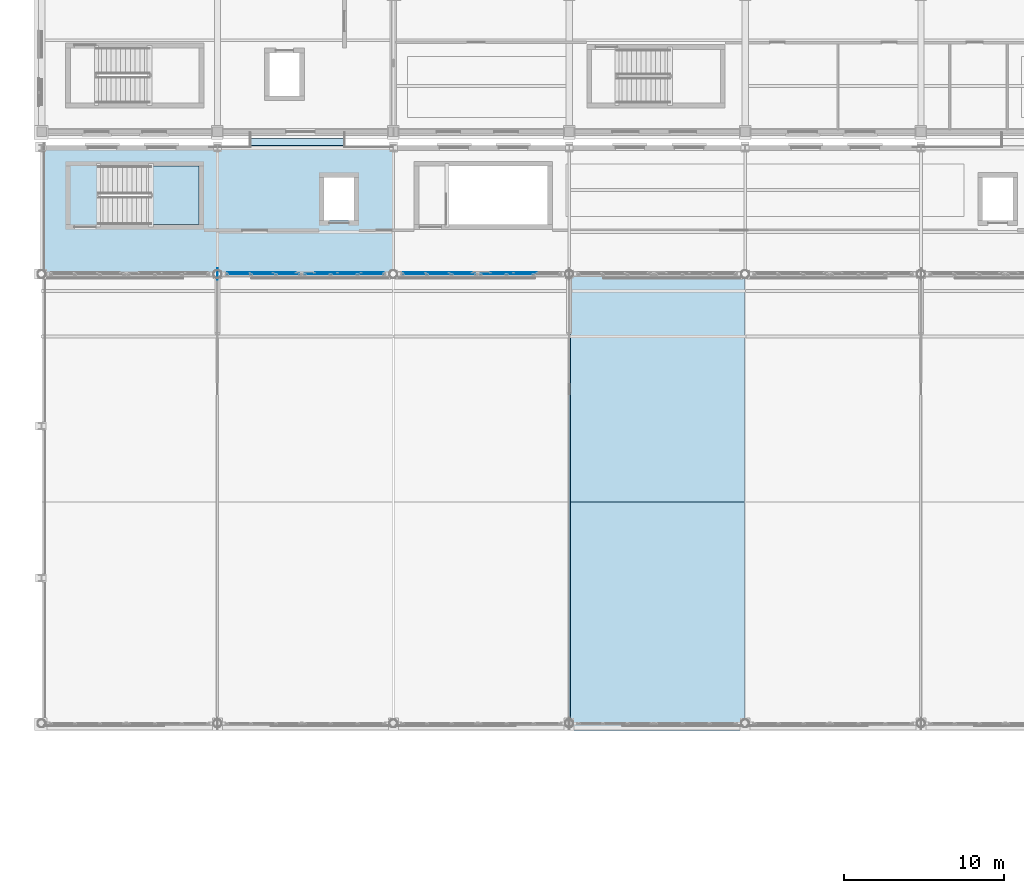
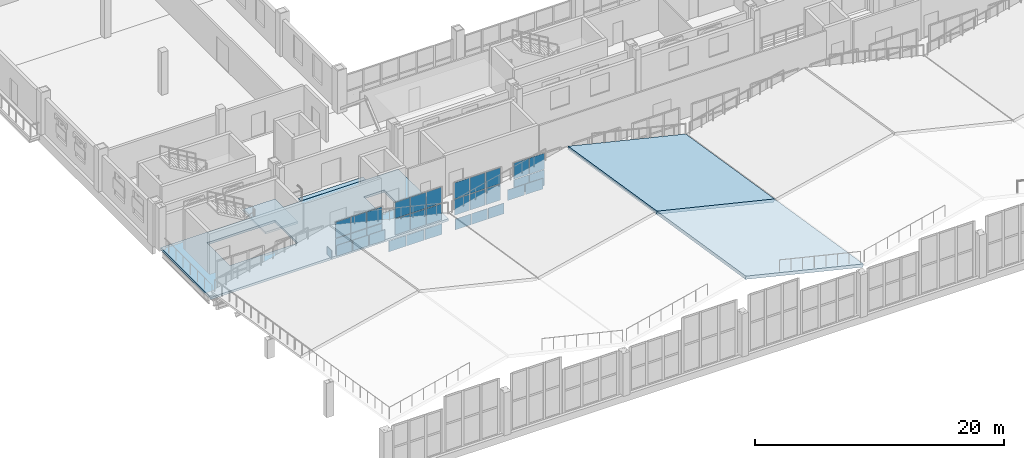
# One storey, part 79 of 120: 34 plates, 5 slabs, 9 elements without a shape of their own.
"""IFC4 building model written with IfcOpenShell, lengths in metres."""

from ifc_helpers import new_model, si_unit, direction, frame, origin, origin_2d, place, context, subcontext, project, spatial, polyline, rectangle, outline, extrude, material, layer, layer_set, type_object, element, aggregate, save


model = new_model("IFC4")

# Units and contexts
model_context = context("Model", 3, precision=1e-05, world=origin(), true_north=direction((0.0, 1.0)))
body_context = subcontext(model_context, "Body", "Model", "MODEL_VIEW")
ifc_project = project(units=[si_unit("LENGTHUNIT", "METRE"), si_unit("AREAUNIT", "SQUARE_METRE"), si_unit("VOLUMEUNIT", "CUBIC_METRE"), si_unit("PLANEANGLEUNIT", "RADIAN"), si_unit("MASSUNIT", "GRAM", prefix="KILO")], contexts=[model_context])

# Site, building, storey
site_placement = place(None, origin())
site = spatial("IfcSite", under=ifc_project, at=site_placement, CompositionType="ELEMENT")
building_placement = place(site_placement, origin())
building = spatial("IfcBuilding", under=site, at=building_placement, Name="Caurita Quay Ferry Terminal", CompositionType="ELEMENT")
storey_placement = place(building_placement, frame((0.0, 0.0, 9.89990234375)))
storey = spatial("IfcBuildingStorey", under=building, at=storey_placement, Name="L02", CompositionType="ELEMENT", Elevation=9.89990234375)

# Curtain wall, plates
ifc_material_1 = material(Name="Laminated solar-control insulated glass", Category="glass")
curtain_wall_type_1 = type_object("IfcCurtainWallType", Name="CW-SYS-13", PredefinedType="NOTDEFINED", material=ifc_material_1)
curtain_wall_1_placement = place(storey_placement, origin())
curtain_wall_1 = element("IfcCurtainWall", 1, at=curtain_wall_1_placement, inside=storey, type_object=curtain_wall_type_1, Name="Mezzanine Hall Overlook Glazing 091", PredefinedType="NOTDEFINED")
ifc_layer_1 = layer(ifc_material_1, 0.02392578125, Name="Laminated low-e hurricane-rated glazing unit 24 mm")
ifc_layer_set_1 = layer_set([ifc_layer_1], Name="Laminated solar-control insulated glass")
plate_type_1 = type_object("IfcPlateType", Name="CW-PNL-24", PredefinedType="CURTAIN_PANEL", material=ifc_layer_set_1)
plate_1_placement = place(storey_placement, frame((12.29833984375, 62.800048828125, 0.05810546875), z_axis=(0.0, 0.0, 1.0), x_axis=(1.0, 0.0, 0.0)))
plate_1 = element("IfcPlate", 2, at=plate_1_placement, type_object=plate_type_1, Name="CW-MZL-091 Glazing Panel 1", PredefinedType="CURTAIN_PANEL", context=body_context, shape_type="SweptSolid", body=[
    extrude(rectangle(XDim=1.380615234375, YDim=0.02392578125, at=origin_2d()), origin(), (0.0, 0.0, 1.0), 1.56396484375),
])
plate_2_placement = place(storey_placement, frame((12.29833984375, 62.800048828125, 1.67822265625), z_axis=(0.0, 0.0, 1.0), x_axis=(1.0, 0.0, 0.0)))
plate_2 = element("IfcPlate", 3, at=plate_2_placement, type_object=plate_type_1, Name="CW-MZL-091 Glazing Panel 2", PredefinedType="CURTAIN_PANEL", context=body_context, shape_type="SweptSolid", body=[
    extrude(rectangle(XDim=1.380615234375, YDim=0.02392578125, at=origin_2d()), origin(), (0.0, 0.0, 1.0), 1.56396484375),
])
plate_3_placement = place(storey_placement, frame((13.75, 62.800048828125, 0.05810546875), z_axis=(0.0, 0.0, 1.0), x_axis=(1.0, 0.0, 0.0)))
plate_3 = element("IfcPlate", 4, at=plate_3_placement, type_object=plate_type_1, Name="CW-MZL-091 Glazing Panel 3", PredefinedType="CURTAIN_PANEL", context=body_context, shape_type="SweptSolid", body=[
    extrude(rectangle(XDim=1.41064453125, YDim=0.02392578125, at=origin_2d()), origin(), (0.0, 0.0, 1.0), 1.56396484375),
])
plate_4_placement = place(storey_placement, frame((13.75, 62.800048828125, 1.67822265625), z_axis=(0.0, 0.0, 1.0), x_axis=(1.0, 0.0, 0.0)))
plate_4 = element("IfcPlate", 5, at=plate_4_placement, type_object=plate_type_1, Name="CW-MZL-091 Glazing Panel 4", PredefinedType="CURTAIN_PANEL", context=body_context, shape_type="SweptSolid", body=[
    extrude(rectangle(XDim=1.41064453125, YDim=0.02392578125, at=origin_2d()), origin(), (0.0, 0.0, 1.0), 1.56396484375),
])
plate_5_placement = place(storey_placement, frame((15.20166015625, 62.800048828125, 0.05810546875), z_axis=(0.0, 0.0, 1.0), x_axis=(1.0, 0.0, 0.0)))
plate_5 = element("IfcPlate", 6, at=plate_5_placement, type_object=plate_type_1, Name="CW-MZL-091 Glazing Panel 5", PredefinedType="CURTAIN_PANEL", context=body_context, shape_type="SweptSolid", body=[
    extrude(rectangle(XDim=1.380615234375, YDim=0.02392578125, at=origin_2d()), origin(), (0.0, 0.0, 1.0), 1.56396484375),
])
plate_6_placement = place(storey_placement, frame((15.20166015625, 62.800048828125, 1.67822265625), z_axis=(0.0, 0.0, 1.0), x_axis=(1.0, 0.0, 0.0)))
plate_6 = element("IfcPlate", 7, at=plate_6_placement, type_object=plate_type_1, Name="CW-MZL-091 Glazing Panel 6", PredefinedType="CURTAIN_PANEL", context=body_context, shape_type="SweptSolid", body=[
    extrude(rectangle(XDim=1.380615234375, YDim=0.02392578125, at=origin_2d()), origin(), (0.0, 0.0, 1.0), 1.56396484375),
])
aggregate(curtain_wall_1, [plate_1, plate_2, plate_3, plate_4, plate_5, plate_6])

curtain_wall_2_placement = place(storey_placement, origin())
curtain_wall_2 = element("IfcCurtainWall", 8, at=curtain_wall_2_placement, inside=storey, type_object=curtain_wall_type_1, Name="Mezzanine Hall Overlook Glazing 092", PredefinedType="NOTDEFINED")
plate_7_placement = place(storey_placement, frame((17.79833984375, 62.800048828125, 0.05810546875), z_axis=(0.0, 0.0, 1.0), x_axis=(1.0, 0.0, 0.0)))
plate_7 = element("IfcPlate", 9, at=plate_7_placement, type_object=plate_type_1, Name="CW-MZL-092 Glazing Panel 1", PredefinedType="CURTAIN_PANEL", context=body_context, shape_type="SweptSolid", body=[
    extrude(rectangle(XDim=1.380615234375, YDim=0.02392578125, at=origin_2d()), origin(), (0.0, 0.0, 1.0), 1.56396484375),
])
plate_8_placement = place(storey_placement, frame((17.79833984375, 62.800048828125, 1.67822265625), z_axis=(0.0, 0.0, 1.0), x_axis=(1.0, 0.0, 0.0)))
plate_8 = element("IfcPlate", 10, at=plate_8_placement, type_object=plate_type_1, Name="CW-MZL-092 Glazing Panel 2", PredefinedType="CURTAIN_PANEL", context=body_context, shape_type="SweptSolid", body=[
    extrude(rectangle(XDim=1.380615234375, YDim=0.02392578125, at=origin_2d()), origin(), (0.0, 0.0, 1.0), 1.56396484375),
])
plate_9_placement = place(storey_placement, frame((19.25, 62.800048828125, 0.05810546875), z_axis=(0.0, 0.0, 1.0), x_axis=(1.0, 0.0, 0.0)))
plate_9 = element("IfcPlate", 11, at=plate_9_placement, type_object=plate_type_1, Name="CW-MZL-092 Glazing Panel 3", PredefinedType="CURTAIN_PANEL", context=body_context, shape_type="SweptSolid", body=[
    extrude(rectangle(XDim=1.41064453125, YDim=0.02392578125, at=origin_2d()), origin(), (0.0, 0.0, 1.0), 1.56396484375),
])
plate_10_placement = place(storey_placement, frame((19.25, 62.800048828125, 1.67822265625), z_axis=(0.0, 0.0, 1.0), x_axis=(1.0, 0.0, 0.0)))
plate_10 = element("IfcPlate", 12, at=plate_10_placement, type_object=plate_type_1, Name="CW-MZL-092 Glazing Panel 4", PredefinedType="CURTAIN_PANEL", context=body_context, shape_type="SweptSolid", body=[
    extrude(rectangle(XDim=1.41064453125, YDim=0.02392578125, at=origin_2d()), origin(), (0.0, 0.0, 1.0), 1.56396484375),
])
plate_11_placement = place(storey_placement, frame((20.70166015625, 62.800048828125, 0.05810546875), z_axis=(0.0, 0.0, 1.0), x_axis=(1.0, 0.0, 0.0)))
plate_11 = element("IfcPlate", 13, at=plate_11_placement, type_object=plate_type_1, Name="CW-MZL-092 Glazing Panel 5", PredefinedType="CURTAIN_PANEL", context=body_context, shape_type="SweptSolid", body=[
    extrude(rectangle(XDim=1.380615234375, YDim=0.02392578125, at=origin_2d()), origin(), (0.0, 0.0, 1.0), 1.56396484375),
])
plate_12_placement = place(storey_placement, frame((20.70166015625, 62.800048828125, 1.67822265625), z_axis=(0.0, 0.0, 1.0), x_axis=(1.0, 0.0, 0.0)))
plate_12 = element("IfcPlate", 14, at=plate_12_placement, type_object=plate_type_1, Name="CW-MZL-092 Glazing Panel 6", PredefinedType="CURTAIN_PANEL", context=body_context, shape_type="SweptSolid", body=[
    extrude(rectangle(XDim=1.380615234375, YDim=0.02392578125, at=origin_2d()), origin(), (0.0, 0.0, 1.0), 1.56396484375),
])
aggregate(curtain_wall_2, [plate_7, plate_8, plate_9, plate_10, plate_11, plate_12])

curtain_wall_3_placement = place(storey_placement, origin())
curtain_wall_3 = element("IfcCurtainWall", 15, at=curtain_wall_3_placement, inside=storey, type_object=curtain_wall_type_1, Name="Mezzanine Hall Overlook Glazing 093", PredefinedType="NOTDEFINED")
plate_13_placement = place(storey_placement, frame((23.29833984375, 62.800048828125, 0.05810546875), z_axis=(0.0, 0.0, 1.0), x_axis=(1.0, 0.0, 0.0)))
plate_13 = element("IfcPlate", 16, at=plate_13_placement, type_object=plate_type_1, Name="CW-MZL-093 Glazing Panel 1", PredefinedType="CURTAIN_PANEL", context=body_context, shape_type="SweptSolid", body=[
    extrude(rectangle(XDim=1.380615234375, YDim=0.02392578125, at=origin_2d()), origin(), (0.0, 0.0, 1.0), 1.56396484375),
])
plate_14_placement = place(storey_placement, frame((23.29833984375, 62.800048828125, 1.67822265625), z_axis=(0.0, 0.0, 1.0), x_axis=(1.0, 0.0, 0.0)))
plate_14 = element("IfcPlate", 17, at=plate_14_placement, type_object=plate_type_1, Name="CW-MZL-093 Glazing Panel 2", PredefinedType="CURTAIN_PANEL", context=body_context, shape_type="SweptSolid", body=[
    extrude(rectangle(XDim=1.380615234375, YDim=0.02392578125, at=origin_2d()), origin(), (0.0, 0.0, 1.0), 1.56396484375),
])
plate_15_placement = place(storey_placement, frame((24.75, 62.800048828125, 0.05810546875), z_axis=(0.0, 0.0, 1.0), x_axis=(1.0, 0.0, 0.0)))
plate_15 = element("IfcPlate", 18, at=plate_15_placement, type_object=plate_type_1, Name="CW-MZL-093 Glazing Panel 3", PredefinedType="CURTAIN_PANEL", context=body_context, shape_type="SweptSolid", body=[
    extrude(rectangle(XDim=1.41064453125, YDim=0.02392578125, at=origin_2d()), origin(), (0.0, 0.0, 1.0), 1.56396484375),
])
plate_16_placement = place(storey_placement, frame((24.75, 62.800048828125, 1.67822265625), z_axis=(0.0, 0.0, 1.0), x_axis=(1.0, 0.0, 0.0)))
plate_16 = element("IfcPlate", 19, at=plate_16_placement, type_object=plate_type_1, Name="CW-MZL-093 Glazing Panel 4", PredefinedType="CURTAIN_PANEL", context=body_context, shape_type="SweptSolid", body=[
    extrude(rectangle(XDim=1.41064453125, YDim=0.02392578125, at=origin_2d()), origin(), (0.0, 0.0, 1.0), 1.56396484375),
])
plate_17_placement = place(storey_placement, frame((26.20166015625, 62.800048828125, 0.05810546875), z_axis=(0.0, 0.0, 1.0), x_axis=(1.0, 0.0, 0.0)))
plate_17 = element("IfcPlate", 20, at=plate_17_placement, type_object=plate_type_1, Name="CW-MZL-093 Glazing Panel 5", PredefinedType="CURTAIN_PANEL", context=body_context, shape_type="SweptSolid", body=[
    extrude(rectangle(XDim=1.380615234375, YDim=0.02392578125, at=origin_2d()), origin(), (0.0, 0.0, 1.0), 1.56396484375),
])
plate_18_placement = place(storey_placement, frame((26.20166015625, 62.800048828125, 1.67822265625), z_axis=(0.0, 0.0, 1.0), x_axis=(1.0, 0.0, 0.0)))
plate_18 = element("IfcPlate", 21, at=plate_18_placement, type_object=plate_type_1, Name="CW-MZL-093 Glazing Panel 6", PredefinedType="CURTAIN_PANEL", context=body_context, shape_type="SweptSolid", body=[
    extrude(rectangle(XDim=1.380615234375, YDim=0.02392578125, at=origin_2d()), origin(), (0.0, 0.0, 1.0), 1.56396484375),
])
aggregate(curtain_wall_3, [plate_13, plate_14, plate_15, plate_16, plate_17, plate_18])

curtain_wall_4_placement = place(storey_placement, origin())
curtain_wall_4 = element("IfcCurtainWall", 22, at=curtain_wall_4_placement, inside=storey, type_object=curtain_wall_type_1, Name="Mezzanine Hall Overlook Glazing 094", PredefinedType="NOTDEFINED")
plate_19_placement = place(storey_placement, frame((28.79833984375, 62.800048828125, 0.05810546875), z_axis=(0.0, 0.0, 1.0), x_axis=(1.0, 0.0, 0.0)))
plate_19 = element("IfcPlate", 23, at=plate_19_placement, type_object=plate_type_1, Name="CW-MZL-094 Glazing Panel 1", PredefinedType="CURTAIN_PANEL", context=body_context, shape_type="SweptSolid", body=[
    extrude(rectangle(XDim=1.380615234375, YDim=0.02392578125, at=origin_2d()), origin(), (0.0, 0.0, 1.0), 1.56396484375),
])
plate_20_placement = place(storey_placement, frame((28.79833984375, 62.800048828125, 1.67822265625), z_axis=(0.0, 0.0, 1.0), x_axis=(1.0, 0.0, 0.0)))
plate_20 = element("IfcPlate", 24, at=plate_20_placement, type_object=plate_type_1, Name="CW-MZL-094 Glazing Panel 2", PredefinedType="CURTAIN_PANEL", context=body_context, shape_type="SweptSolid", body=[
    extrude(rectangle(XDim=1.380615234375, YDim=0.02392578125, at=origin_2d()), origin(), (0.0, 0.0, 1.0), 1.56396484375),
])
plate_21_placement = place(storey_placement, frame((30.25, 62.800048828125, 0.05810546875), z_axis=(0.0, 0.0, 1.0), x_axis=(1.0, 0.0, 0.0)))
plate_21 = element("IfcPlate", 25, at=plate_21_placement, type_object=plate_type_1, Name="CW-MZL-094 Glazing Panel 3", PredefinedType="CURTAIN_PANEL", context=body_context, shape_type="SweptSolid", body=[
    extrude(rectangle(XDim=1.41064453125, YDim=0.02392578125, at=origin_2d()), origin(), (0.0, 0.0, 1.0), 1.56396484375),
])
plate_22_placement = place(storey_placement, frame((30.25, 62.800048828125, 1.67822265625), z_axis=(0.0, 0.0, 1.0), x_axis=(1.0, 0.0, 0.0)))
plate_22 = element("IfcPlate", 26, at=plate_22_placement, type_object=plate_type_1, Name="CW-MZL-094 Glazing Panel 4", PredefinedType="CURTAIN_PANEL", context=body_context, shape_type="SweptSolid", body=[
    extrude(rectangle(XDim=1.41064453125, YDim=0.02392578125, at=origin_2d()), origin(), (0.0, 0.0, 1.0), 1.56396484375),
])
aggregate(curtain_wall_4, [plate_19, plate_20, plate_21, plate_22])

curtain_wall_type_2 = type_object("IfcCurtainWallType", Name="CW-SYS-05", PredefinedType="NOTDEFINED", material=ifc_material_1)
curtain_wall_5_placement = place(storey_placement, origin())
curtain_wall_5 = element("IfcCurtainWall", 27, at=curtain_wall_5_placement, inside=storey, type_object=curtain_wall_type_2, Name="Folded Roof Clerestory FB-01-N3", PredefinedType="NOTDEFINED")
ifc_layer_2 = layer(ifc_material_1, 0.028076171875, Name="Laminated low-e hurricane-rated glazing unit 28 mm")
ifc_layer_set_2 = layer_set([ifc_layer_2], Name="Laminated solar-control insulated glass")
plate_type_2 = type_object("IfcPlateType", Name="CW-PNL-28", PredefinedType="CURTAIN_PANEL", material=ifc_layer_set_2)
plate_23_placement = place(storey_placement, frame((12.34375, 62.699951171875, -0.0498046875), z_axis=(0.0, 0.0, 1.0), x_axis=(1.0, 0.0, 0.0)))
plate_23 = element("IfcPlate", 28, at=plate_23_placement, type_object=plate_type_2, Name="CW-CLR-007 Glazing Panel 1", PredefinedType="CURTAIN_PANEL", context=body_context, shape_type="SweptSolid", body=[
    extrude(rectangle(XDim=1.44140625, YDim=0.028076171875, at=origin_2d()), origin(), (0.0, 0.0, 1.0), 1.053955078125),
])
plate_24_placement = place(storey_placement, frame((13.875, 62.699951171875, -0.0498046875), z_axis=(0.0, 0.0, 1.0), x_axis=(1.0, 0.0, 0.0)))
plate_24 = element("IfcPlate", 29, at=plate_24_placement, type_object=plate_type_2, Name="CW-CLR-007 Glazing Panel 2", PredefinedType="CURTAIN_PANEL", context=body_context, shape_type="SweptSolid", body=[
    extrude(rectangle(XDim=1.47900390625, YDim=0.028076171875, at=origin_2d()), origin(), (0.0, 0.0, 1.0), 1.053955078125),
])
plate_25_placement = place(storey_placement, frame((15.40625, 62.699951171875, -0.0498046875), z_axis=(0.0, 0.0, 1.0), x_axis=(1.0, 0.0, 0.0)))
plate_25 = element("IfcPlate", 30, at=plate_25_placement, type_object=plate_type_2, Name="CW-CLR-007 Glazing Panel 3", PredefinedType="CURTAIN_PANEL", context=body_context, shape_type="SweptSolid", body=[
    extrude(rectangle(XDim=1.44140625, YDim=0.028076171875, at=origin_2d()), origin(), (0.0, 0.0, 1.0), 1.053955078125),
])
aggregate(curtain_wall_5, [plate_23, plate_24, plate_25])

curtain_wall_type_3 = type_object("IfcCurtainWallType", Name="CW-SYS-06", PredefinedType="NOTDEFINED", material=ifc_material_1)
curtain_wall_6_placement = place(storey_placement, origin())
curtain_wall_6 = element("IfcCurtainWall", 31, at=curtain_wall_6_placement, inside=storey, type_object=curtain_wall_type_3, Name="Folded Roof Clerestory FB-01-N4", PredefinedType="NOTDEFINED")
plate_26_placement = place(storey_placement, frame((17.260498046875, 62.699951171875, -1.31005859375), z_axis=(0.0, 0.0, 1.0), x_axis=(1.0, 0.0, 0.0)))
plate_26 = element("IfcPlate", 32, at=plate_26_placement, type_object=plate_type_2, Name="CW-CLR-008 Glazing Panel 1", PredefinedType="CURTAIN_PANEL", context=body_context, shape_type="SweptSolid", body=[
    extrude(rectangle(XDim=1.57470703125, YDim=0.028076171875, at=origin_2d()), origin(), (0.0, 0.0, 1.0), 1.053955078125),
])
plate_27_placement = place(storey_placement, frame((18.925048828125, 62.699951171875, -1.31005859375), z_axis=(0.0, 0.0, 1.0), x_axis=(1.0, 0.0, 0.0)))
plate_27 = element("IfcPlate", 33, at=plate_27_placement, type_object=plate_type_2, Name="CW-CLR-008 Glazing Panel 2", PredefinedType="CURTAIN_PANEL", context=body_context, shape_type="SweptSolid", body=[
    extrude(rectangle(XDim=1.6123046875, YDim=0.028076171875, at=origin_2d()), origin(), (0.0, 0.0, 1.0), 1.053955078125),
])
plate_28_placement = place(storey_placement, frame((20.589599609375, 62.699951171875, -1.31005859375), z_axis=(0.0, 0.0, 1.0), x_axis=(1.0, 0.0, 0.0)))
plate_28 = element("IfcPlate", 34, at=plate_28_placement, type_object=plate_type_2, Name="CW-CLR-008 Glazing Panel 3", PredefinedType="CURTAIN_PANEL", context=body_context, shape_type="SweptSolid", body=[
    extrude(rectangle(XDim=1.57470703125, YDim=0.028076171875, at=origin_2d()), origin(), (0.0, 0.0, 1.0), 1.053955078125),
])
aggregate(curtain_wall_6, [plate_26, plate_27, plate_28])

curtain_wall_7_placement = place(storey_placement, origin())
curtain_wall_7 = element("IfcCurtainWall", 35, at=curtain_wall_7_placement, inside=storey, type_object=curtain_wall_type_2, Name="Folded Roof Clerestory FB-02-N1", PredefinedType="NOTDEFINED")
plate_29_placement = place(storey_placement, frame((23.34375, 62.699951171875, -1.31005859375), z_axis=(0.0, 0.0, 1.0), x_axis=(1.0, 0.0, 0.0)))
plate_29 = element("IfcPlate", 36, at=plate_29_placement, type_object=plate_type_2, Name="CW-CLR-013 Glazing Panel 1", PredefinedType="CURTAIN_PANEL", context=body_context, shape_type="SweptSolid", body=[
    extrude(rectangle(XDim=1.44140625, YDim=0.028076171875, at=origin_2d()), origin(), (0.0, 0.0, 1.0), 1.053955078125),
])
plate_30_placement = place(storey_placement, frame((24.875, 62.699951171875, -1.31005859375), z_axis=(0.0, 0.0, 1.0), x_axis=(1.0, 0.0, 0.0)))
plate_30 = element("IfcPlate", 37, at=plate_30_placement, type_object=plate_type_2, Name="CW-CLR-013 Glazing Panel 2", PredefinedType="CURTAIN_PANEL", context=body_context, shape_type="SweptSolid", body=[
    extrude(rectangle(XDim=1.47900390625, YDim=0.028076171875, at=origin_2d()), origin(), (0.0, 0.0, 1.0), 1.053955078125),
])
plate_31_placement = place(storey_placement, frame((26.40625, 62.699951171875, -1.31005859375), z_axis=(0.0, 0.0, 1.0), x_axis=(1.0, 0.0, 0.0)))
plate_31 = element("IfcPlate", 38, at=plate_31_placement, type_object=plate_type_2, Name="CW-CLR-013 Glazing Panel 3", PredefinedType="CURTAIN_PANEL", context=body_context, shape_type="SweptSolid", body=[
    extrude(rectangle(XDim=1.44140625, YDim=0.028076171875, at=origin_2d()), origin(), (0.0, 0.0, 1.0), 1.053955078125),
])
aggregate(curtain_wall_7, [plate_29, plate_30, plate_31])

curtain_wall_8_placement = place(storey_placement, origin())
curtain_wall_8 = element("IfcCurtainWall", 39, at=curtain_wall_8_placement, inside=storey, type_object=curtain_wall_type_3, Name="Folded Roof Clerestory FB-02-N2", PredefinedType="NOTDEFINED")
plate_32_placement = place(storey_placement, frame((28.260498046875, 62.699951171875, -0.14599609375), z_axis=(0.0, 0.0, 1.0), x_axis=(1.0, 0.0, 0.0)))
plate_32 = element("IfcPlate", 40, at=plate_32_placement, type_object=plate_type_2, Name="CW-CLR-014 Glazing Panel 1", PredefinedType="CURTAIN_PANEL", context=body_context, shape_type="SweptSolid", body=[
    extrude(rectangle(XDim=1.57470703125, YDim=0.028076171875, at=origin_2d()), origin(), (0.0, 0.0, 1.0), 1.053955078125),
])
plate_33_placement = place(storey_placement, frame((29.925048828125, 62.699951171875, -0.14599609375), z_axis=(0.0, 0.0, 1.0), x_axis=(1.0, 0.0, 0.0)))
plate_33 = element("IfcPlate", 41, at=plate_33_placement, type_object=plate_type_2, Name="CW-CLR-014 Glazing Panel 2", PredefinedType="CURTAIN_PANEL", context=body_context, shape_type="SweptSolid", body=[
    extrude(rectangle(XDim=1.6123046875, YDim=0.028076171875, at=origin_2d()), origin(), (0.0, 0.0, 1.0), 1.053955078125),
])
aggregate(curtain_wall_8, [plate_32, plate_33])

# Plate
ifc_material_2 = material(Name="Structural plate steel ASTM A572 Gr. 50", Category="steel")
ifc_layer_3 = layer(ifc_material_2, 0.048095703125, Name="Structural steel connection plate 48 mm")
ifc_layer_set_3 = layer_set([ifc_layer_3], Name="Structural plate steel ASTM A572 Gr. 50")
plate_type_3 = type_object("IfcPlateType", Name="PLT-STL-48", PredefinedType="USERDEFINED", material=ifc_layer_set_3)
plate_34_placement = place(storey_placement, frame((11.0, 62.699951171875, 0.175048828125), z_axis=(0.0, 0.0, 1.0), x_axis=(1.0, 0.0, 0.0)))
element("IfcPlate", 42, at=plate_34_placement, inside=storey, type_object=plate_type_3, Name="Mast Collar Stay-Cable Gusset Plate V1-02-N", ObjectType="GUSSET PLATE", PredefinedType="USERDEFINED", context=body_context, shape_type="SweptSolid", body=[
    extrude(rectangle(XDim=0.048095703125, YDim=0.719970703125, at=origin_2d()), origin(), (0.0, 0.0, 1.0), 0.75),
])

# Slabs
ifc_material_3 = material(Name="Reinforced concrete C35/45", Category="concrete")
ifc_layer_4 = layer(ifc_material_3, 0.219970703125, Name="Reinforced concrete floor slab 220 mm")
ifc_layer_set_4 = layer_set([ifc_layer_4], Name="Reinforced concrete C35/45")
slab_type_1 = type_object("IfcSlabType", Name="SLB-FLR-220", PredefinedType="FLOOR", material=ifc_layer_set_4)
slab_1_placement = place(storey_placement, frame((0.0, 0.0, -0.219970703125)))
element("IfcSlab", 43, at=slab_1_placement, inside=storey, type_object=slab_type_1, Name="L02 SJ4-W Slab 01", PredefinedType="FLOOR", context=body_context, shape_type="SweptSolid", body=[
    extrude(outline(polyline([(13.0, 70.760009765625), (19.0, 70.760009765625), (19.0, 71.18994140625), (13.0, 71.18994140625), (13.0, 70.760009765625)])), origin(), (0.0, 0.0, 1.0), 0.219970703125),
])
slab_2_placement = place(storey_placement, frame((0.0, 0.0, -0.219970703125)))
element("IfcSlab", 44, at=slab_2_placement, inside=storey, type_object=slab_type_1, Name="L02 V1-MEZ Slab 01", PredefinedType="FLOOR", context=body_context, shape_type="SweptSolid", body=[
    extrude(outline(polyline([(0.0, 62.699951171875), (22.0, 62.699951171875), (22.0, 70.75), (0.0, 70.75), (0.0, 62.699951171875)]), holes=[polyline([(3.550048828125, 65.800048828125), (9.85009765625, 65.800048828125), (9.85009765625, 69.4599609375), (3.550048828125, 69.4599609375), (3.550048828125, 65.800048828125)]), polyline([(17.655029296875, 66.054931640625), (19.544921875, 66.054931640625), (19.544921875, 68.7451171875), (17.655029296875, 68.7451171875), (17.655029296875, 66.054931640625)])]), origin(), (0.0, 0.0, 1.0), 0.219970703125),
])
ifc_layer_5 = layer(ifc_material_3, 0.280029296875, Name="Reinforced concrete roof slab 280 mm")
ifc_layer_set_5 = layer_set([ifc_layer_5], Name="Reinforced concrete C35/45")
slab_type_2 = type_object("IfcSlabType", Name="SLB-FOLD-280", PredefinedType="ROOF", material=ifc_layer_set_5)
for number, where, z_axis, x_axis, name in (
    (45, (33.080078125, 34.199951171875, 7.781005859375), (0.230611727555, 0.153733927912, 0.960824703327), (0.972384132882, 0.0, -0.233386156658), "Folded Concourse Roof Facet FB-02 E1"),
    (46, (33.080078125, 48.449951171875, 5.5009765625), (0.230611727555, 0.153733927912, 0.960824703327), (0.972384132882, 0.0, -0.233386156658), "Folded Concourse Roof Facet FB-02 E2"),
):
    element("IfcSlab", number, at=place(storey_placement, frame(where, z_axis=z_axis, x_axis=x_axis)), inside=storey, type_object=slab_type_2, Name=name, PredefinedType="ROOF", context=body_context, shape_type="SweptSolid", body=[
        extrude(outline(polyline([(0.0, 0.0), (11.18887324935576, 0.0), (11.721000524020926, 14.421438005905157), (0.5321272746651661, 14.421438005905157), (0.0, 0.0)])), origin(), (0.0, 0.0, -1.0), 0.280029296875),
    ])

# Stair, slab
stair_type = type_object("IfcStairType", Name="STR-DL-09", PredefinedType="HALF_TURN_STAIR", material=ifc_material_3)
stair_placement = place(storey_placement, origin())
stair = element("IfcStair", 47, at=stair_placement, inside=storey, type_object=stair_type, Name="L02 Protected Exit Stair ST-05", PredefinedType="HALF_TURN_STAIR")
ifc_layer_6 = layer(ifc_material_3, 0.199951171875, Name="Reinforced concrete landing slab 200 mm")
ifc_layer_set_6 = layer_set([ifc_layer_6], Name="Reinforced concrete C35/45")
slab_type_3 = type_object("IfcSlabType", Name="SLB-LND-200", PredefinedType="LANDING", material=ifc_layer_set_6)
slab_3_placement = place(storey_placement, frame((0.0, 0.0, 1.900146484375)))
slab_3 = element("IfcSlab", 48, at=slab_3_placement, type_object=slab_type_3, Name="ST-05 landing 1", PredefinedType="LANDING", context=body_context, shape_type="SweptSolid", body=[
    extrude(outline(polyline([(6.85009765625, 65.800048828125), (9.85009765625, 65.800048828125), (9.85009765625, 69.4599609375), (6.85009765625, 69.4599609375), (6.85009765625, 65.800048828125)])), origin(), (0.0, 0.0, 1.0), 0.199951171875),
])
aggregate(stair, [slab_3])

save(model, "model.ifc")
